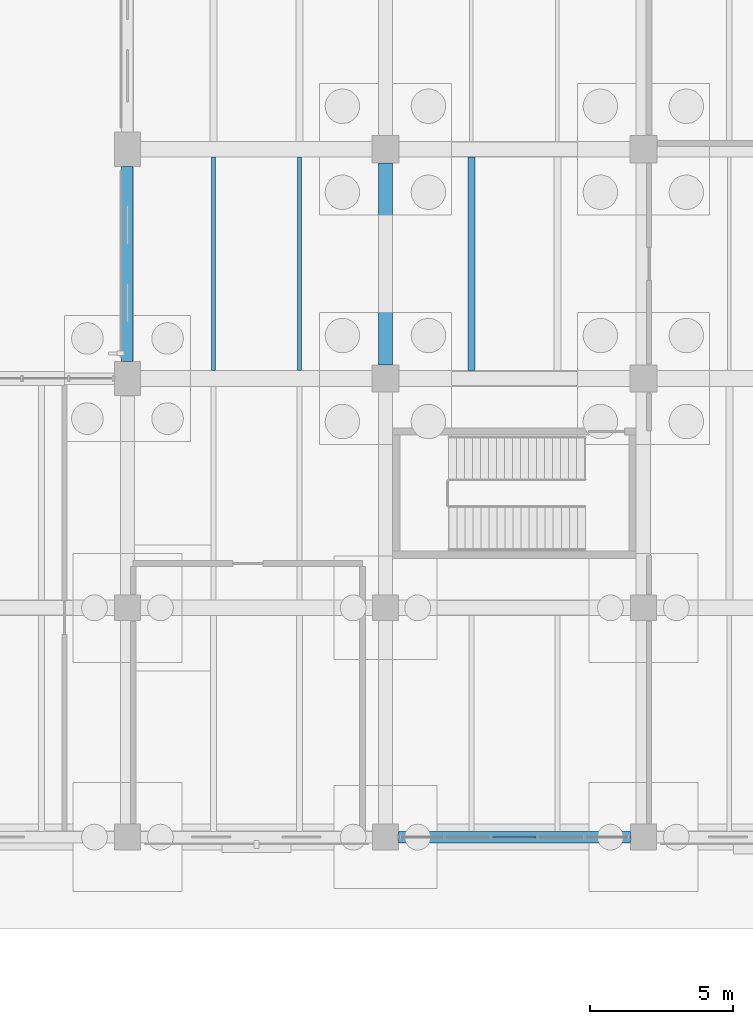
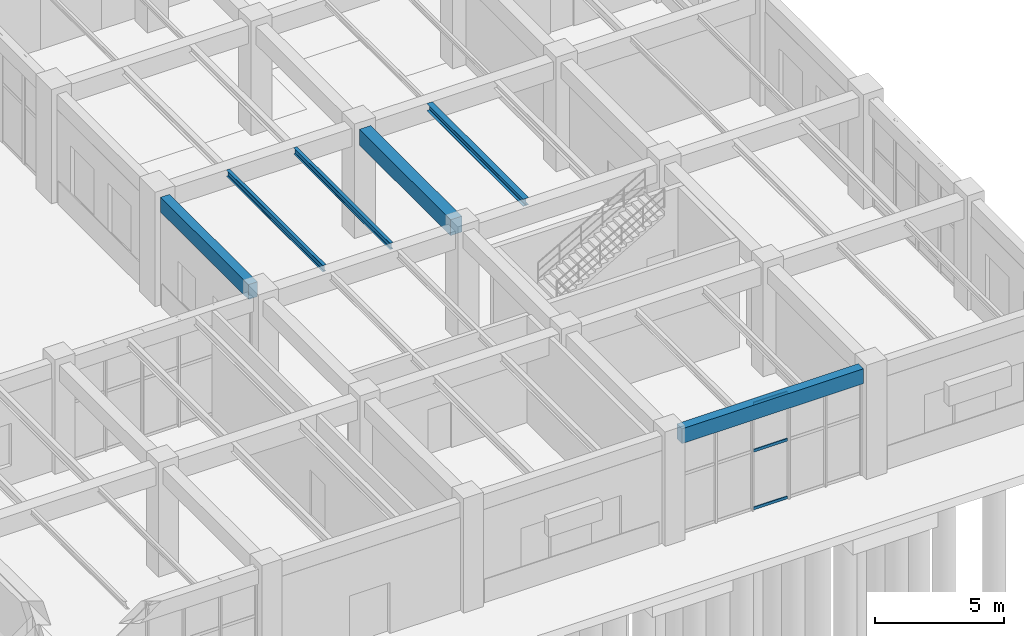
# One storey, part 60 of 121: 6 beams, 3 members, 1 element without a shape of its own.
"""IFC4 building model written with IfcOpenShell, lengths in metres."""

from ifc_helpers import new_model, si_unit, derived_unit, direction, frame, origin, origin_2d, place, context, subcontext, project, spatial, rectangle, hollow_rectangle, i_section, extrude, material, material_profile, profile_set, type_object, element, aggregate, save


model = new_model("IFC4")

# Units and contexts
model_context = context("Model", 3, precision=1e-05, world=origin(), true_north=direction((0.0, 1.0)))
body_context = subcontext(model_context, "Body", "Model", "MODEL_VIEW")
ifc_project = project(units=[si_unit("LENGTHUNIT", "METRE"), si_unit("AREAUNIT", "SQUARE_METRE"), si_unit("VOLUMEUNIT", "CUBIC_METRE"), si_unit("PLANEANGLEUNIT", "RADIAN"), si_unit("MASSUNIT", "GRAM", prefix="KILO"), derived_unit("THERMALTRANSMITTANCEUNIT", [(si_unit("MASSUNIT", "GRAM", prefix="KILO"), 1), (si_unit("TIMEUNIT", "SECOND"), -3), (si_unit("THERMODYNAMICTEMPERATUREUNIT", "KELVIN"), -1)])], contexts=[model_context])

# Site, building, storey
site_placement = place(None, origin())
site = spatial("IfcSite", under=ifc_project, at=site_placement, CompositionType="ELEMENT")
building_placement = place(site_placement, origin())
building = spatial("IfcBuilding", under=site, at=building_placement, Name="Zhenchuan Archway Interchange", CompositionType="ELEMENT")
storey_placement = place(building_placement, origin())
storey = spatial("IfcBuildingStorey", under=building, at=storey_placement, Name="L00", CompositionType="ELEMENT", Elevation=0.0)

# Beam
ifc_material_1 = material(Name="Concrete C40", Category="concrete")
ifc_material_profile_1 = material_profile(ifc_material_1, rectangle(XDim=0.5, YDim=0.75, at=origin_2d()), Name="RC 500x750")
ifc_profile_set_1 = profile_set([ifc_material_profile_1], Name="Concrete C40")
beam_type_1 = type_object("IfcBeamType", Name="BM_RC_500x750", PredefinedType="BEAM", material=ifc_profile_set_1)
beam_1_placement = place(storey_placement, frame((153.0, 24.47509765625, 4.705078125), z_axis=(0.0, 1.0, 0.0), x_axis=(-1.0, 0.0, 0.0)))
element("IfcBeam", 1, at=beam_1_placement, inside=storey, type_object=beam_type_1, Name="Beam 18:D-E (L00)", PredefinedType="BEAM", context=body_context, shape_type="SweptSolid", body=[
    extrude(rectangle(XDim=0.5, YDim=0.75, at=origin_2d()), origin(), (0.0, 0.0, 1.0), 7.0498046875),
])

# Curtain wall, members
ifc_material_2 = material(Name="Anodised Aluminium", Category="aluminium")
curtain_wall_type = type_object("IfcCurtainWallType", Name="CW_UNIT_1", PredefinedType="NOTDEFINED", material=ifc_material_2)
curtain_wall_placement = place(storey_placement, origin())
curtain_wall = element("IfcCurtainWall", 2, at=curtain_wall_placement, inside=storey, type_object=curtain_wall_type, Name="Unitised curtain wall CW:L00:016", PredefinedType="NOTDEFINED")
ifc_material_profile_2 = material_profile(ifc_material_2, hollow_rectangle(XDim=0.06005859375, YDim=0.139892578125, WallThickness=0.00341796875, InnerFilletRadius=0.00341796875, OuterFilletRadius=0.007080078125, at=origin_2d()), Name="ALU 140x60x3.5")
ifc_profile_set_2 = profile_set([ifc_material_profile_2], Name="Anodised Aluminium")
member_type = type_object("IfcMemberType", Name="CW_TRN_140", PredefinedType="USERDEFINED", material=ifc_profile_set_2)
member_1_placement = place(storey_placement, frame((158.25634765625, 8.0, 0.06005859375), z_axis=(-1.0, 0.0, 0.0), x_axis=(0.0, -1.0, 0.0)))
member_1 = element("IfcMember", 3, at=member_1_placement, type_object=member_type, Name="CW:L00:016 transom 2-1", ObjectType="TRANSOM", PredefinedType="USERDEFINED", context=body_context, shape_type="SweptSolid", body=[
    extrude(hollow_rectangle(XDim=0.06005859375, YDim=0.139892578125, WallThickness=0.00341796875, InnerFilletRadius=0.00341796875, OuterFilletRadius=0.007080078125, at=origin_2d()), origin(), (0.0, 0.0, 1.0), 1.5126953125),
])
member_2_placement = place(storey_placement, frame((158.25634765625, 8.0, 2.782958984375), z_axis=(-1.0, 0.0, 0.0), x_axis=(0.0, -1.0, 0.0)))
member_2 = element("IfcMember", 4, at=member_2_placement, type_object=member_type, Name="CW:L00:016 transom 2-2", ObjectType="TRANSOM", PredefinedType="USERDEFINED", context=body_context, shape_type="SweptSolid", body=[
    extrude(hollow_rectangle(XDim=0.06005859375, YDim=0.139892578125, WallThickness=0.00341796875, InnerFilletRadius=0.00341796875, OuterFilletRadius=0.007080078125, at=origin_2d()), origin(), (0.0, 0.0, 1.0), 1.5126953125),
])
member_3_placement = place(storey_placement, frame((158.25634765625, 8.0, 5.0), z_axis=(-1.0, 0.0, 0.0), x_axis=(0.0, -1.0, 0.0)))
member_3 = element("IfcMember", 5, at=member_3_placement, type_object=member_type, Name="CW:L00:016 transom 2-3", ObjectType="TRANSOM", PredefinedType="USERDEFINED", context=body_context, shape_type="SweptSolid", body=[
    extrude(hollow_rectangle(XDim=0.06005859375, YDim=0.139892578125, WallThickness=0.00341796875, InnerFilletRadius=0.00341796875, OuterFilletRadius=0.007080078125, at=origin_2d()), origin(), (0.0, 0.0, 1.0), 1.5126953125),
])
aggregate(curtain_wall, [member_1, member_2, member_3])

# Beams
ifc_material_3 = material(Name="Steel Q355", Category="steel")
ifc_material_profile_3 = material_profile(ifc_material_3, i_section(OverallWidth=0.25, OverallDepth=0.340087890625, WebThickness=0.009033203125, FlangeThickness=0.013916015625, FilletRadius=0.01806640625, at=origin_2d()), Name="HM 340x250")
ifc_profile_set_3 = profile_set([ifc_material_profile_3], Name="Steel Q355")
beam_type_2 = type_object("IfcBeamType", Name="JST_STL_HM340", PredefinedType="JOIST", material=ifc_profile_set_3)
beam_2_placement = place(storey_placement, frame((156.0, 24.27490234375, 4.909912109375), z_axis=(0.0, 1.0, 0.0), x_axis=(-1.0, 0.0, 0.0)))
element("IfcBeam", 6, at=beam_2_placement, inside=storey, type_object=beam_type_2, Name="Secondary joist 18-19/D-E #1 (L00)", PredefinedType="JOIST", context=body_context, shape_type="SweptSolid", body=[
    extrude(i_section(OverallWidth=0.25, OverallDepth=0.340087890625, WebThickness=0.009033203125, FlangeThickness=0.013916015625, FilletRadius=0.01806640625, at=origin_2d()), origin(), (0.0, 0.0, 1.0), 7.4501953125),
])
ifc_material_profile_4 = material_profile(ifc_material_3, i_section(OverallWidth=0.14990234375, OverallDepth=0.300048828125, WebThickness=0.006591796875, FlangeThickness=0.009033203125, FilletRadius=0.012939453125, at=origin_2d()), Name="HN 300x150")
ifc_profile_set_4 = profile_set([ifc_material_profile_4], Name="Steel Q355")
beam_type_3 = type_object("IfcBeamType", Name="JST_STL_HN300", PredefinedType="JOIST", material=ifc_profile_set_4)
for number, where, z_axis, x_axis, name in (
    (7, (147.0, 24.27490234375, 4.929931640625), (0.0, 1.0, 0.0), (-1.0, 0.0, 0.0), "Secondary joist 17-18/D-E #1 (L00)"),
    (8, (150.0, 24.27490234375, 4.929931640625), (0.0, 1.0, 0.0), (-1.0, 0.0, 0.0), "Secondary joist 17-18/D-E #2 (L00)"),
):
    element("IfcBeam", number, at=place(storey_placement, frame(where, z_axis=z_axis, x_axis=x_axis)), inside=storey, type_object=beam_type_3, Name=name, PredefinedType="JOIST", context=body_context, shape_type="SweptSolid", body=[
        extrude(i_section(OverallWidth=0.14990234375, OverallDepth=0.300048828125, WebThickness=0.006591796875, FlangeThickness=0.009033203125, FilletRadius=0.012939453125, at=origin_2d()), origin(), (0.0, 0.0, 1.0), 7.4501953125),
    ])
ifc_material_profile_5 = material_profile(ifc_material_1, rectangle(XDim=0.39990234375, YDim=0.699951171875, at=origin_2d()), Name="RC 400x700")
ifc_profile_set_5 = profile_set([ifc_material_profile_5], Name="Concrete C40")
beam_type_4 = type_object("IfcBeamType", Name="SP_RC_400x700", PredefinedType="SPANDREL", material=ifc_profile_set_5)
beam_3_placement = place(storey_placement, frame((153.449951171875, 8.0, 4.72998046875), z_axis=(1.0, 0.0, 0.0), x_axis=(0.0, 1.0, 0.0)))
element("IfcBeam", 9, at=beam_3_placement, inside=storey, type_object=beam_type_4, Name="Beam B:18-19 (L00)", PredefinedType="SPANDREL", context=body_context, shape_type="SweptSolid", body=[
    extrude(rectangle(XDim=0.39990234375, YDim=0.699951171875, at=origin_2d()), origin(), (0.0, 0.0, 1.0), 8.10009765625),
])
beam_4_placement = place(storey_placement, frame((144.0, 24.60009765625, 4.72998046875), z_axis=(0.0, 1.0, 0.0), x_axis=(-1.0, 0.0, 0.0)))
element("IfcBeam", 10, at=beam_4_placement, inside=storey, type_object=beam_type_4, Name="Beam 17:D-E (L00)", PredefinedType="SPANDREL", context=body_context, shape_type="SweptSolid", body=[
    extrude(rectangle(XDim=0.39990234375, YDim=0.699951171875, at=origin_2d()), origin(), (0.0, 0.0, 1.0), 6.7998046875),
])

save(model, "model.ifc")
